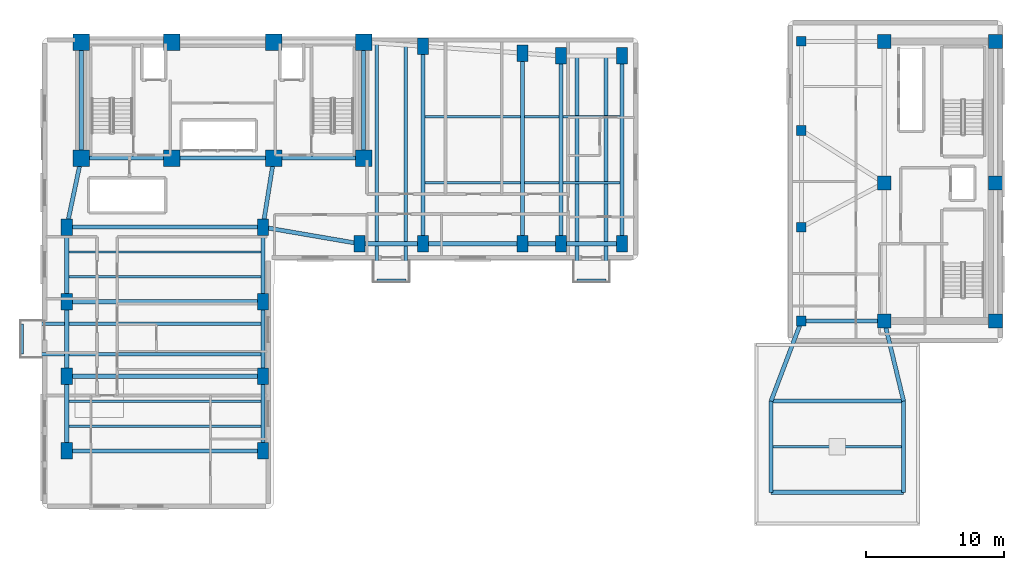
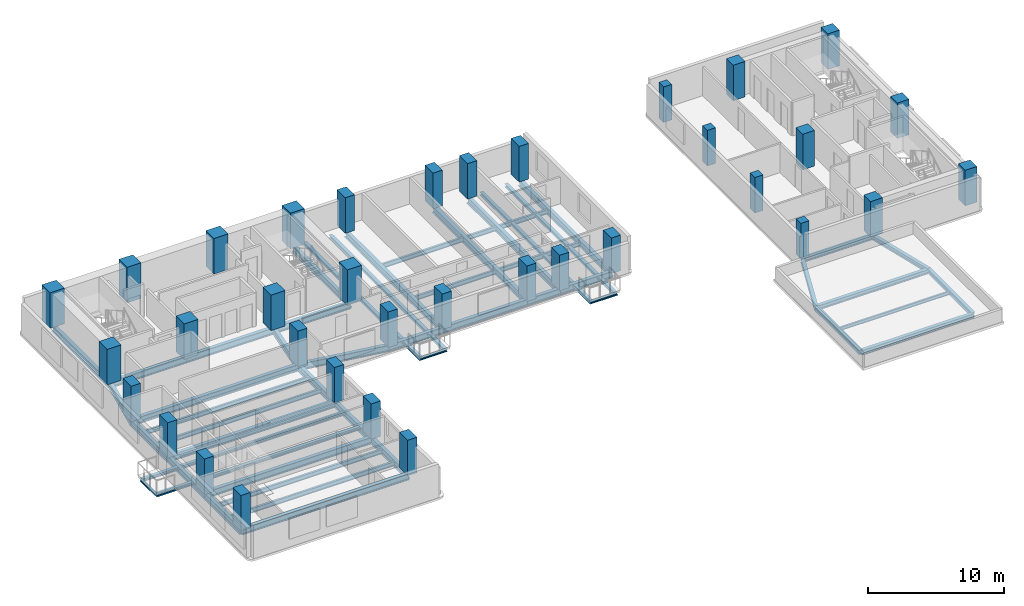
# One storey, part 1 of 11: 53 beams, 35 columns.
"""IFC4 building model written with IfcOpenShell, lengths in metres."""

from ifc_helpers import new_model, si_unit, direction, frame, origin, origin_2d, place, context, subcontext, project, spatial, rectangle, i_section, extrude, material, material_profile, profile_set, type_object, element, save


model = new_model("IFC4")

# Units and contexts
model_context = context("Model", 3, precision=1e-05, world=origin(), true_north=direction((0.0, 1.0)))
body_context = subcontext(model_context, "Body", "Model", "MODEL_VIEW")
ifc_project = project(units=[si_unit("LENGTHUNIT", "METRE"), si_unit("AREAUNIT", "SQUARE_METRE"), si_unit("VOLUMEUNIT", "CUBIC_METRE"), si_unit("PLANEANGLEUNIT", "RADIAN"), si_unit("MASSUNIT", "GRAM", prefix="KILO")], contexts=[model_context])

# Site, building, storey
site_placement = place(None, origin())
site = spatial("IfcSite", under=ifc_project, at=site_placement, CompositionType="ELEMENT")
building_placement = place(site_placement, origin())
building = spatial("IfcBuilding", under=site, at=building_placement, Name="Kuzgunbayir Cultural Tower", CompositionType="ELEMENT")
storey_placement = place(building_placement, frame((0.0, 0.0, 86.60009765625)))
storey = spatial("IfcBuildingStorey", under=building, at=storey_placement, Name="L24", CompositionType="ELEMENT", Elevation=86.60009765625)

# Columns
ifc_material_1 = material(Name="Concrete C60/75", Category="concrete")
ifc_material_profile_1 = material_profile(ifc_material_1, rectangle(XDim=1.199951171875, YDim=1.199951171875, at=origin_2d()), Name="RC 1200x1200")
ifc_profile_set_1 = profile_set([ifc_material_profile_1], Name="Concrete C60/75")
column_type_1 = type_object("IfcColumnType", Name="COL-CORE-1200", PredefinedType="COLUMN", material=ifc_profile_set_1)
for number, where, z_axis, x_axis, name in (
    (1, (6.449951171875, 33.800048828125, 0.0), (0.0, 0.0, 1.0), (1.0, 0.0, 0.0), "L24 T1 Core Boundary Column CC1-1"),
    (2, (13.0, 33.800048828125, 0.0), (0.0, 0.0, 1.0), (1.0, 0.0, 0.0), "L24 T1 Core Boundary Column CC1-2"),
    (3, (20.39990234375, 33.800048828125, 0.0), (0.0, 0.0, 1.0), (1.0, 0.0, 0.0), "L24 T1 Core Boundary Column CC1-3"),
    (4, (26.89990234375, 33.800048828125, 0.0), (0.0, 0.0, 1.0), (1.0, 0.0, 0.0), "L24 T1 Core Boundary Column CC1-4"),
    (5, (6.449951171875, 42.199951171875, 0.0), (0.0, 0.0, 1.0), (1.0, 0.0, 0.0), "L24 T1 Core Boundary Column CC1-5"),
    (6, (13.0, 42.199951171875, 0.0), (0.0, 0.0, 1.0), (1.0, 0.0, 0.0), "L24 T1 Core Boundary Column CC1-6"),
    (7, (20.39990234375, 42.199951171875, 0.0), (0.0, 0.0, 1.0), (1.0, 0.0, 0.0), "L24 T1 Core Boundary Column CC1-7"),
    (8, (26.89990234375, 42.199951171875, 0.0), (0.0, 0.0, 1.0), (1.0, 0.0, 0.0), "L24 T1 Core Boundary Column CC1-8"),
):
    element("IfcColumn", number, at=place(storey_placement, frame(where, z_axis=z_axis, x_axis=x_axis)), inside=storey, type_object=column_type_1, Name=name, PredefinedType="COLUMN", context=body_context, shape_type="SweptSolid", body=[
        extrude(rectangle(XDim=1.199951171875, YDim=1.199951171875, at=origin_2d()), origin(), (0.0, 0.0, 1.0), 3.199951171875),
    ])
ifc_material_profile_2 = material_profile(ifc_material_1, rectangle(XDim=0.800048828125, YDim=1.199951171875, at=origin_2d()), Name="RC 1200x800")
ifc_profile_set_2 = profile_set([ifc_material_profile_2], Name="Concrete C60/75")
column_type_2 = type_object("IfcColumnType", Name="COL-T1-1200x800", PredefinedType="COLUMN", material=ifc_profile_set_2)
for number, where, z_axis, x_axis, name in (
    (9, (5.39990234375, 12.60009765625, 0.0), (0.0, 0.0, 1.0), (1.0, 0.0, 0.0), "L24 Tower 1 Wing A Column T1A-W-1"),
    (10, (19.60009765625, 12.60009765625, 0.0), (0.0, 0.0, 1.0), (1.0, 0.0, 0.0), "L24 Tower 1 Wing A Column T1A-E-1"),
    (11, (5.39990234375, 18.0, 0.0), (0.0, 0.0, 1.0), (1.0, 0.0, 0.0), "L24 Tower 1 Wing A Column T1A-W-2"),
    (12, (19.60009765625, 18.0, 0.0), (0.0, 0.0, 1.0), (1.0, 0.0, 0.0), "L24 Tower 1 Wing A Column T1A-E-2"),
    (13, (5.39990234375, 23.39990234375, 0.0), (0.0, 0.0, 1.0), (1.0, 0.0, 0.0), "L24 Tower 1 Wing A Column T1A-W-3"),
    (14, (19.60009765625, 23.39990234375, 0.0), (0.0, 0.0, 1.0), (1.0, 0.0, 0.0), "L24 Tower 1 Wing A Column T1A-E-3"),
    (15, (5.39990234375, 28.800048828125, 0.0), (0.0, 0.0, 1.0), (1.0, 0.0, 0.0), "L24 Tower 1 Wing A Column T1A-W-4"),
    (16, (19.60009765625, 28.800048828125, 0.0), (0.0, 0.0, 1.0), (1.0, 0.0, 0.0), "L24 Tower 1 Wing A Column T1A-E-4"),
    (17, (26.60009765625, 27.60009765625, 0.0), (0.0, 0.0, 1.0), (1.0, 0.0, 0.0), "L24 Tower 1 Wing B Column T1B-1-1"),
    (18, (31.199951171875, 27.60009765625, 0.0), (0.0, 0.0, 1.0), (1.0, 0.0, 0.0), "L24 Tower 1 Wing B Column T1B-2-1"),
    (19, (31.199951171875, 41.89990234375, 0.0), (0.0, 0.0, 1.0), (1.0, 0.0, 0.0), "L24 Tower 1 Wing B Column T1B-2-2"),
    (20, (38.39990234375, 27.60009765625, 0.0), (0.0, 0.0, 1.0), (1.0, 0.0, 0.0), "L24 Tower 1 Wing B Column T1B-3-1"),
    (21, (38.39990234375, 41.39990234375, 0.0), (0.0, 0.0, 1.0), (1.0, 0.0, 0.0), "L24 Tower 1 Wing B Column T1B-3-2"),
    (22, (41.199951171875, 27.60009765625, 0.0), (0.0, 0.0, 1.0), (1.0, 0.0, 0.0), "L24 Tower 1 Wing B Column T1B-4-1"),
    (23, (41.199951171875, 41.199951171875, 0.0), (0.0, 0.0, 1.0), (1.0, 0.0, 0.0), "L24 Tower 1 Wing B Column T1B-4-2"),
    (24, (45.60009765625, 27.60009765625, 0.0), (0.0, 0.0, 1.0), (1.0, 0.0, 0.0), "L24 Tower 1 Wing B Column T1B-5-1"),
    (25, (45.60009765625, 41.199951171875, 0.0), (0.0, 0.0, 1.0), (1.0, 0.0, 0.0), "L24 Tower 1 Wing B Column T1B-5-2"),
):
    element("IfcColumn", number, at=place(storey_placement, frame(where, z_axis=z_axis, x_axis=x_axis)), inside=storey, type_object=column_type_2, Name=name, PredefinedType="COLUMN", context=body_context, shape_type="SweptSolid", body=[
        extrude(rectangle(XDim=0.800048828125, YDim=1.199951171875, at=origin_2d()), origin(), (0.0, 0.0, 1.0), 3.199951171875),
    ])
ifc_material_profile_3 = material_profile(ifc_material_1, rectangle(XDim=1.0, YDim=1.0, at=origin_2d()), Name="RC 1000x1000")
ifc_profile_set_3 = profile_set([ifc_material_profile_3], Name="Concrete C60/75")
column_type_3 = type_object("IfcColumnType", Name="COL-T2-1000", PredefinedType="COLUMN", material=ifc_profile_set_3)
for number, where, z_axis, x_axis, name in (
    (26, (64.60009765625, 22.0, 0.0), (0.0, 0.0, 1.0), (1.0, 0.0, 0.0), "L24 T2 Core Boundary Column CC2-1"),
    (27, (72.64990234375, 22.0, 0.0), (0.0, 0.0, 1.0), (1.0, 0.0, 0.0), "L24 T2 Core Boundary Column CC2-2"),
    (28, (64.60009765625, 32.0, 0.0), (0.0, 0.0, 1.0), (1.0, 0.0, 0.0), "L24 T2 Core Boundary Column CC2-3"),
    (29, (72.64990234375, 32.0, 0.0), (0.0, 0.0, 1.0), (1.0, 0.0, 0.0), "L24 T2 Core Boundary Column CC2-4"),
    (30, (64.60009765625, 42.25, 0.0), (0.0, 0.0, 1.0), (1.0, 0.0, 0.0), "L24 T2 Core Boundary Column CC2-5"),
    (31, (72.64990234375, 42.25, 0.0), (0.0, 0.0, 1.0), (1.0, 0.0, 0.0), "L24 T2 Core Boundary Column CC2-6"),
):
    element("IfcColumn", number, at=place(storey_placement, frame(where, z_axis=z_axis, x_axis=x_axis)), inside=storey, type_object=column_type_3, Name=name, PredefinedType="COLUMN", context=body_context, shape_type="SweptSolid", body=[
        extrude(rectangle(XDim=1.0, YDim=1.0, at=origin_2d()), origin(), (0.0, 0.0, 1.0), 3.199951171875),
    ])
ifc_material_profile_4 = material_profile(ifc_material_1, rectangle(XDim=0.699951171875, YDim=0.699951171875, at=origin_2d()), Name="RC 700x700")
ifc_profile_set_4 = profile_set([ifc_material_profile_4], Name="Concrete C60/75")
column_type_4 = type_object("IfcColumnType", Name="COL-T2-700", PredefinedType="COLUMN", material=ifc_profile_set_4)
for number, where, z_axis, x_axis, name in (
    (32, (58.60009765625, 22.0, 0.0), (0.0, 0.0, 1.0), (1.0, 0.0, 0.0), "L24 Companion Wing A Column T2A-W-1"),
    (33, (58.60009765625, 28.800048828125, 0.0), (0.0, 0.0, 1.0), (1.0, 0.0, 0.0), "L24 Companion Wing A Column T2A-W-2"),
    (34, (58.60009765625, 35.800048828125, 0.0), (0.0, 0.0, 1.0), (1.0, 0.0, 0.0), "L24 Companion Wing A Column T2A-W-3"),
    (35, (58.60009765625, 42.25, 0.0), (0.0, 0.0, 1.0), (1.0, 0.0, 0.0), "L24 Companion Wing A Column T2A-W-4"),
):
    element("IfcColumn", number, at=place(storey_placement, frame(where, z_axis=z_axis, x_axis=x_axis)), inside=storey, type_object=column_type_4, Name=name, PredefinedType="COLUMN", context=body_context, shape_type="SweptSolid", body=[
        extrude(rectangle(XDim=0.699951171875, YDim=0.699951171875, at=origin_2d()), origin(), (0.0, 0.0, 1.0), 3.199951171875),
    ])

# Beams
ifc_material_2 = material(Name="Steel S355J2", Category="steel")
ifc_material_profile_5 = material_profile(ifc_material_2, i_section(OverallWidth=0.280029296875, OverallDepth=0.280029296875, WebThickness=0.010498046875, FlangeThickness=0.01806640625, FilletRadius=0.02392578125, at=origin_2d()), Name="HEB 280")
ifc_profile_set_5 = profile_set([ifc_material_profile_5], Name="Steel S355J2")
beam_type_1 = type_object("IfcBeamType", Name="BM-BAL-HEB280", PredefinedType="BEAM", material=ifc_profile_set_5)
for number, where, z_axis, x_axis, name in (
    (36, (2.159912109375, 19.60009765625, -0.340087890625), (1.0, 0.0, 0.0), (0.0, 1.0, 0.0), "L24 Balcony Outrigger Beam BAL-L24-WA2.1"),
    (37, (2.159912109375, 21.800048828125, -0.340087890625), (1.0, 0.0, 0.0), (0.0, 1.0, 0.0), "L24 Balcony Outrigger Beam BAL-L24-WA2.2"),
):
    element("IfcBeam", number, at=place(storey_placement, frame(where, z_axis=z_axis, x_axis=x_axis)), inside=storey, type_object=beam_type_1, Name=name, PredefinedType="BEAM", context=body_context, shape_type="SweptSolid", body=[
        extrude(i_section(OverallWidth=0.280029296875, OverallDepth=0.280029296875, WebThickness=0.010498046875, FlangeThickness=0.01806640625, FilletRadius=0.02392578125, at=origin_2d()), origin(), (0.0, 0.0, 1.0), 17.440185546875),
    ])
beam_1_placement = place(storey_placement, frame((27.85009765625, 24.9599609375, -0.340087890625), z_axis=(0.0, 1.0, 0.0), x_axis=(-1.0, 0.0, 0.0)))
element("IfcBeam", 38, at=beam_1_placement, inside=storey, type_object=beam_type_1, Name="L24 Balcony Outrigger Beam BAL-L24-WB1.1", PredefinedType="BEAM", context=body_context, shape_type="SweptSolid", body=[
    extrude(i_section(OverallWidth=0.280029296875, OverallDepth=0.280029296875, WebThickness=0.010498046875, FlangeThickness=0.01806640625, FilletRadius=0.02392578125, at=origin_2d()), origin(), (0.0, 0.0, 1.0), 17.169921875),
])
beam_2_placement = place(storey_placement, frame((29.949951171875, 24.9599609375, -0.340087890625), z_axis=(0.0, 1.0, 0.0), x_axis=(-1.0, 0.0, 0.0)))
element("IfcBeam", 39, at=beam_2_placement, inside=storey, type_object=beam_type_1, Name="L24 Balcony Outrigger Beam BAL-L24-WB1.2", PredefinedType="BEAM", context=body_context, shape_type="SweptSolid", body=[
    extrude(i_section(OverallWidth=0.280029296875, OverallDepth=0.280029296875, WebThickness=0.010498046875, FlangeThickness=0.01806640625, FilletRadius=0.02392578125, at=origin_2d()), origin(), (0.0, 0.0, 1.0), 17.030029296875),
])
for number, where, z_axis, x_axis, name in (
    (40, (42.35009765625, 24.9599609375, -0.340087890625), (0.0, 1.0, 0.0), (-1.0, 0.0, 0.0), "L24 Balcony Outrigger Beam BAL-L24-WB3.1"),
    (41, (44.449951171875, 24.9599609375, -0.340087890625), (0.0, 1.0, 0.0), (-1.0, 0.0, 0.0), "L24 Balcony Outrigger Beam BAL-L24-WB3.2"),
):
    element("IfcBeam", number, at=place(storey_placement, frame(where, z_axis=z_axis, x_axis=x_axis)), inside=storey, type_object=beam_type_1, Name=name, PredefinedType="BEAM", context=body_context, shape_type="SweptSolid", body=[
        extrude(i_section(OverallWidth=0.280029296875, OverallDepth=0.280029296875, WebThickness=0.010498046875, FlangeThickness=0.01806640625, FilletRadius=0.02392578125, at=origin_2d()), origin(), (0.0, 0.0, 1.0), 16.239990234375),
    ])
ifc_material_profile_6 = material_profile(ifc_material_2, i_section(OverallWidth=0.199951171875, OverallDepth=0.199951171875, WebThickness=0.009033203125, FlangeThickness=0.014892578125, FilletRadius=0.01806640625, at=origin_2d()), Name="HEB 200")
ifc_profile_set_6 = profile_set([ifc_material_profile_6], Name="Steel S355J2")
beam_type_2 = type_object("IfcBeamType", Name="BM-CAN-HEB200", PredefinedType="BEAM", material=ifc_profile_set_6)
beam_3_placement = place(storey_placement, frame((2.159912109375, 19.60009765625, -0.300048828125), z_axis=(0.0, 1.0, 0.0), x_axis=(-1.0, 0.0, 0.0)))
element("IfcBeam", 42, at=beam_3_placement, inside=storey, type_object=beam_type_2, Name="L24 Balcony Edge Header BAL-L24-WA2", PredefinedType="BEAM", context=body_context, shape_type="SweptSolid", body=[
    extrude(i_section(OverallWidth=0.199951171875, OverallDepth=0.199951171875, WebThickness=0.009033203125, FlangeThickness=0.014892578125, FilletRadius=0.01806640625, at=origin_2d()), origin(), (0.0, 0.0, 1.0), 2.199951171875),
])
for number, where, z_axis, x_axis, name in (
    (43, (27.85009765625, 24.9599609375, -0.300048828125), (1.0, 0.0, 0.0), (0.0, 1.0, 0.0), "L24 Balcony Edge Header BAL-L24-WB1"),
    (44, (42.35009765625, 24.9599609375, -0.300048828125), (1.0, 0.0, 0.0), (0.0, 1.0, 0.0), "L24 Balcony Edge Header BAL-L24-WB3"),
):
    element("IfcBeam", number, at=place(storey_placement, frame(where, z_axis=z_axis, x_axis=x_axis)), inside=storey, type_object=beam_type_2, Name=name, PredefinedType="BEAM", context=body_context, shape_type="SweptSolid", body=[
        extrude(i_section(OverallWidth=0.199951171875, OverallDepth=0.199951171875, WebThickness=0.009033203125, FlangeThickness=0.014892578125, FilletRadius=0.01806640625, at=origin_2d()), origin(), (0.0, 0.0, 1.0), 2.099853515625),
    ])
ifc_material_profile_7 = material_profile(ifc_material_2, i_section(OverallWidth=0.300048828125, OverallDepth=0.39990234375, WebThickness=0.013427734375, FlangeThickness=0.02392578125, FilletRadius=0.027099609375, at=origin_2d()), Name="HEB 400")
ifc_profile_set_7 = profile_set([ifc_material_profile_7], Name="Steel S355J2")
beam_type_3 = type_object("IfcBeamType", Name="BM-EXT-HEB400", PredefinedType="BEAM", material=ifc_profile_set_7)
beam_4_placement = place(storey_placement, frame((56.39990234375, 9.60009765625, -0.420166015625), z_axis=(0.0, 1.0, 0.0), x_axis=(-1.0, 0.0, 0.0)))
element("IfcBeam", 45, at=beam_4_placement, inside=storey, type_object=beam_type_3, Name="L24 Companion Wing B West Girder", PredefinedType="BEAM", context=body_context, shape_type="SweptSolid", body=[
    extrude(i_section(OverallWidth=0.300048828125, OverallDepth=0.39990234375, WebThickness=0.013427734375, FlangeThickness=0.02392578125, FilletRadius=0.027099609375, at=origin_2d()), origin(), (0.0, 0.0, 1.0), 6.599853515625),
])
beam_5_placement = place(storey_placement, frame((56.39990234375, 16.199951171875, -0.420166015625), z_axis=(0.354679148754, 0.93498807556, 0.0), x_axis=(-0.93498807556, 0.354679148754, 0.0)))
element("IfcBeam", 46, at=beam_5_placement, inside=storey, type_object=beam_type_3, Name="L24 Companion Wing B Floor Girder W", PredefinedType="BEAM", context=body_context, shape_type="SweptSolid", body=[
    extrude(i_section(OverallWidth=0.300048828125, OverallDepth=0.39990234375, WebThickness=0.013427734375, FlangeThickness=0.02392578125, FilletRadius=0.027099609375, at=origin_2d()), origin(), (0.0, 0.0, 1.0), 6.203369140625),
])
beam_6_placement = place(storey_placement, frame((66.0, 9.60009765625, -0.420166015625), z_axis=(0.0, 1.0, 0.0), x_axis=(-1.0, 0.0, 0.0)))
element("IfcBeam", 47, at=beam_6_placement, inside=storey, type_object=beam_type_3, Name="L24 Companion Wing B East Girder", PredefinedType="BEAM", context=body_context, shape_type="SweptSolid", body=[
    extrude(i_section(OverallWidth=0.300048828125, OverallDepth=0.39990234375, WebThickness=0.013427734375, FlangeThickness=0.02392578125, FilletRadius=0.027099609375, at=origin_2d()), origin(), (0.0, 0.0, 1.0), 6.599853515625),
])
beam_7_placement = place(storey_placement, frame((66.0, 16.199951171875, -0.420166015625), z_axis=(-0.234623200431, 0.972086392158, 0.0), x_axis=(-0.972086392158, -0.234623200431, 0.0)))
element("IfcBeam", 48, at=beam_7_placement, inside=storey, type_object=beam_type_3, Name="L24 Companion Wing B Floor Girder E", PredefinedType="BEAM", context=body_context, shape_type="SweptSolid", body=[
    extrude(i_section(OverallWidth=0.300048828125, OverallDepth=0.39990234375, WebThickness=0.013427734375, FlangeThickness=0.02392578125, FilletRadius=0.027099609375, at=origin_2d()), origin(), (0.0, 0.0, 1.0), 5.966552734375),
])
beam_8_placement = place(storey_placement, frame((56.39990234375, 9.60009765625, -0.420166015625), z_axis=(1.0, 0.0, 0.0), x_axis=(0.0, 1.0, 0.0)))
element("IfcBeam", 49, at=beam_8_placement, inside=storey, type_object=beam_type_3, Name="L24 Companion Wing B South Girder", PredefinedType="BEAM", context=body_context, shape_type="SweptSolid", body=[
    extrude(i_section(OverallWidth=0.300048828125, OverallDepth=0.39990234375, WebThickness=0.013427734375, FlangeThickness=0.02392578125, FilletRadius=0.027099609375, at=origin_2d()), origin(), (0.0, 0.0, 1.0), 9.60009765625),
])
ifc_material_profile_8 = material_profile(ifc_material_2, i_section(OverallWidth=0.300048828125, OverallDepth=0.60009765625, WebThickness=0.015380859375, FlangeThickness=0.030029296875, FilletRadius=0.027099609375, at=origin_2d()), Name="HEB 600")
ifc_profile_set_8 = profile_set([ifc_material_profile_8], Name="Steel S355J2")
beam_type_4 = type_object("IfcBeamType", Name="BM-EXT-HEB600", PredefinedType="BEAM", material=ifc_profile_set_8)
for number, where, z_axis, x_axis, name in (
    (50, (5.39990234375, 12.60009765625, -0.47998046875), (0.0, 1.0, 0.0), (-1.0, 0.0, 0.0), "L24 Wing A West Girder 1"),
    (51, (19.60009765625, 12.60009765625, -0.47998046875), (0.0, 1.0, 0.0), (-1.0, 0.0, 0.0), "L24 Wing A East Girder 1"),
    (52, (5.39990234375, 18.0, -0.47998046875), (0.0, 1.0, 0.0), (-1.0, 0.0, 0.0), "L24 Wing A West Girder 2"),
    (53, (19.60009765625, 18.0, -0.47998046875), (0.0, 1.0, 0.0), (-1.0, 0.0, 0.0), "L24 Wing A East Girder 2"),
):
    element("IfcBeam", number, at=place(storey_placement, frame(where, z_axis=z_axis, x_axis=x_axis)), inside=storey, type_object=beam_type_4, Name=name, PredefinedType="BEAM", context=body_context, shape_type="SweptSolid", body=[
        extrude(i_section(OverallWidth=0.300048828125, OverallDepth=0.60009765625, WebThickness=0.015380859375, FlangeThickness=0.030029296875, FilletRadius=0.027099609375, at=origin_2d()), origin(), (0.0, 0.0, 1.0), 5.39990234375),
    ])
for number, where, z_axis, x_axis, name in (
    (54, (5.39990234375, 23.39990234375, -0.47998046875), (0.0, 1.0, 0.0), (-1.0, 0.0, 0.0), "L24 Wing A West Girder 3"),
    (55, (19.60009765625, 23.39990234375, -0.47998046875), (0.0, 1.0, 0.0), (-1.0, 0.0, 0.0), "L24 Wing A East Girder 3"),
):
    element("IfcBeam", number, at=place(storey_placement, frame(where, z_axis=z_axis, x_axis=x_axis)), inside=storey, type_object=beam_type_4, Name=name, PredefinedType="BEAM", context=body_context, shape_type="SweptSolid", body=[
        extrude(i_section(OverallWidth=0.300048828125, OverallDepth=0.60009765625, WebThickness=0.015380859375, FlangeThickness=0.030029296875, FilletRadius=0.027099609375, at=origin_2d()), origin(), (0.0, 0.0, 1.0), 5.400146484375),
    ])
beam_9_placement = place(storey_placement, frame((26.60009765625, 27.60009765625, -0.47998046875), z_axis=(1.0, 0.0, 0.0), x_axis=(0.0, 1.0, 0.0)))
element("IfcBeam", 56, at=beam_9_placement, inside=storey, type_object=beam_type_4, Name="L24 Wing B South Girder 1", PredefinedType="BEAM", context=body_context, shape_type="SweptSolid", body=[
    extrude(i_section(OverallWidth=0.300048828125, OverallDepth=0.60009765625, WebThickness=0.015380859375, FlangeThickness=0.030029296875, FilletRadius=0.027099609375, at=origin_2d()), origin(), (0.0, 0.0, 1.0), 4.599853515625),
])
beam_10_placement = place(storey_placement, frame((31.199951171875, 27.60009765625, -0.47998046875), z_axis=(1.0, 0.0, 0.0), x_axis=(0.0, 1.0, 0.0)))
element("IfcBeam", 57, at=beam_10_placement, inside=storey, type_object=beam_type_4, Name="L24 Wing B South Girder 2", PredefinedType="BEAM", context=body_context, shape_type="SweptSolid", body=[
    extrude(i_section(OverallWidth=0.300048828125, OverallDepth=0.60009765625, WebThickness=0.015380859375, FlangeThickness=0.030029296875, FilletRadius=0.027099609375, at=origin_2d()), origin(), (0.0, 0.0, 1.0), 7.199951171875),
])
beam_11_placement = place(storey_placement, frame((38.39990234375, 27.60009765625, -0.47998046875), z_axis=(1.0, 0.0, 0.0), x_axis=(0.0, 1.0, 0.0)))
element("IfcBeam", 58, at=beam_11_placement, inside=storey, type_object=beam_type_4, Name="L24 Wing B South Girder 3", PredefinedType="BEAM", context=body_context, shape_type="SweptSolid", body=[
    extrude(i_section(OverallWidth=0.300048828125, OverallDepth=0.60009765625, WebThickness=0.015380859375, FlangeThickness=0.030029296875, FilletRadius=0.027099609375, at=origin_2d()), origin(), (0.0, 0.0, 1.0), 2.800048828125),
])
beam_12_placement = place(storey_placement, frame((41.199951171875, 27.60009765625, -0.47998046875), z_axis=(1.0, 0.0, 0.0), x_axis=(0.0, 1.0, 0.0)))
element("IfcBeam", 59, at=beam_12_placement, inside=storey, type_object=beam_type_4, Name="L24 Wing B South Girder 4", PredefinedType="BEAM", context=body_context, shape_type="SweptSolid", body=[
    extrude(i_section(OverallWidth=0.300048828125, OverallDepth=0.60009765625, WebThickness=0.015380859375, FlangeThickness=0.030029296875, FilletRadius=0.027099609375, at=origin_2d()), origin(), (0.0, 0.0, 1.0), 4.400146484375),
])
ifc_material_profile_9 = material_profile(ifc_material_2, i_section(OverallWidth=0.300048828125, OverallDepth=0.39990234375, WebThickness=0.013427734375, FlangeThickness=0.02392578125, FilletRadius=0.027099609375, at=origin_2d()), Name="HEB 400")
ifc_profile_set_9 = profile_set([ifc_material_profile_9], Name="Steel S355J2")
beam_type_5 = type_object("IfcBeamType", Name="BM-GIR-HEB400", PredefinedType="BEAM", material=ifc_profile_set_9)
beam_13_placement = place(storey_placement, frame((58.60009765625, 22.0, -0.380126953125), z_axis=(1.0, 0.0, 0.0), x_axis=(0.0, 1.0, 0.0)))
element("IfcBeam", 60, at=beam_13_placement, inside=storey, type_object=beam_type_5, Name="L24 Companion Transverse Girder 1", PredefinedType="BEAM", context=body_context, shape_type="SweptSolid", body=[
    extrude(i_section(OverallWidth=0.300048828125, OverallDepth=0.39990234375, WebThickness=0.013427734375, FlangeThickness=0.02392578125, FilletRadius=0.027099609375, at=origin_2d()), origin(), (0.0, 0.0, 1.0), 6.0),
])
beam_14_placement = place(storey_placement, frame((56.39990234375, 16.199951171875, -0.420166015625), z_axis=(1.0, 0.0, 0.0), x_axis=(0.0, 1.0, 0.0)))
element("IfcBeam", 61, at=beam_14_placement, inside=storey, type_object=beam_type_5, Name="L24 Companion Wing B Mid Girder", PredefinedType="BEAM", context=body_context, shape_type="SweptSolid", body=[
    extrude(i_section(OverallWidth=0.300048828125, OverallDepth=0.39990234375, WebThickness=0.013427734375, FlangeThickness=0.02392578125, FilletRadius=0.027099609375, at=origin_2d()), origin(), (0.0, 0.0, 1.0), 9.60009765625),
])
ifc_material_profile_10 = material_profile(ifc_material_2, i_section(OverallWidth=0.300048828125, OverallDepth=0.60009765625, WebThickness=0.015380859375, FlangeThickness=0.030029296875, FilletRadius=0.027099609375, at=origin_2d()), Name="HEB 600")
ifc_profile_set_10 = profile_set([ifc_material_profile_10], Name="Steel S355J2")
beam_type_6 = type_object("IfcBeamType", Name="BM-GIR-HEB600", PredefinedType="BEAM", material=ifc_profile_set_10)
beam_15_placement = place(storey_placement, frame((6.449951171875, 33.800048828125, -0.47998046875), z_axis=(1.0, 0.0, 0.0), x_axis=(0.0, 1.0, 0.0)))
element("IfcBeam", 62, at=beam_15_placement, inside=storey, type_object=beam_type_6, Name="L24 Core South Girder 1", PredefinedType="BEAM", context=body_context, shape_type="SweptSolid", body=[
    extrude(i_section(OverallWidth=0.300048828125, OverallDepth=0.60009765625, WebThickness=0.015380859375, FlangeThickness=0.030029296875, FilletRadius=0.027099609375, at=origin_2d()), origin(), (0.0, 0.0, 1.0), 6.550048828125),
])
beam_16_placement = place(storey_placement, frame((13.0, 33.800048828125, -0.47998046875), z_axis=(1.0, 0.0, 0.0), x_axis=(0.0, 1.0, 0.0)))
element("IfcBeam", 63, at=beam_16_placement, inside=storey, type_object=beam_type_6, Name="L24 Core South Girder 2", PredefinedType="BEAM", context=body_context, shape_type="SweptSolid", body=[
    extrude(i_section(OverallWidth=0.300048828125, OverallDepth=0.60009765625, WebThickness=0.015380859375, FlangeThickness=0.030029296875, FilletRadius=0.027099609375, at=origin_2d()), origin(), (0.0, 0.0, 1.0), 7.39990234375),
])
beam_17_placement = place(storey_placement, frame((20.39990234375, 33.800048828125, -0.47998046875), z_axis=(1.0, 0.0, 0.0), x_axis=(0.0, 1.0, 0.0)))
element("IfcBeam", 64, at=beam_17_placement, inside=storey, type_object=beam_type_6, Name="L24 Core South Girder 3", PredefinedType="BEAM", context=body_context, shape_type="SweptSolid", body=[
    extrude(i_section(OverallWidth=0.300048828125, OverallDepth=0.60009765625, WebThickness=0.015380859375, FlangeThickness=0.030029296875, FilletRadius=0.027099609375, at=origin_2d()), origin(), (0.0, 0.0, 1.0), 6.5),
])
for number, where, z_axis, x_axis, name in (
    (65, (6.449951171875, 33.800048828125, -0.47998046875), (0.0, 1.0, 0.0), (-1.0, 0.0, 0.0), "L24 Core West Edge Girder"),
    (66, (26.89990234375, 33.800048828125, -0.47998046875), (0.0, 1.0, 0.0), (-1.0, 0.0, 0.0), "L24 Core East Edge Girder"),
):
    element("IfcBeam", number, at=place(storey_placement, frame(where, z_axis=z_axis, x_axis=x_axis)), inside=storey, type_object=beam_type_6, Name=name, PredefinedType="BEAM", context=body_context, shape_type="SweptSolid", body=[
        extrude(i_section(OverallWidth=0.300048828125, OverallDepth=0.60009765625, WebThickness=0.015380859375, FlangeThickness=0.030029296875, FilletRadius=0.027099609375, at=origin_2d()), origin(), (0.0, 0.0, 1.0), 8.39990234375),
    ])
for number, where, z_axis, x_axis, name in (
    (67, (5.39990234375, 12.60009765625, -0.47998046875), (1.0, 0.0, 0.0), (0.0, 1.0, 0.0), "L24 Wing A Transverse Girder 1"),
    (68, (5.39990234375, 18.0, -0.47998046875), (1.0, 0.0, 0.0), (0.0, 1.0, 0.0), "L24 Wing A Transverse Girder 2"),
    (69, (5.39990234375, 23.39990234375, -0.47998046875), (1.0, 0.0, 0.0), (0.0, 1.0, 0.0), "L24 Wing A Transverse Girder 3"),
    (70, (5.39990234375, 28.800048828125, -0.47998046875), (1.0, 0.0, 0.0), (0.0, 1.0, 0.0), "L24 Wing A Transverse Girder 4"),
):
    element("IfcBeam", number, at=place(storey_placement, frame(where, z_axis=z_axis, x_axis=x_axis)), inside=storey, type_object=beam_type_6, Name=name, PredefinedType="BEAM", context=body_context, shape_type="SweptSolid", body=[
        extrude(i_section(OverallWidth=0.300048828125, OverallDepth=0.60009765625, WebThickness=0.015380859375, FlangeThickness=0.030029296875, FilletRadius=0.027099609375, at=origin_2d()), origin(), (0.0, 0.0, 1.0), 14.2001953125),
    ])
beam_18_placement = place(storey_placement, frame((5.39990234375, 28.800048828125, -0.47998046875), z_axis=(0.205526387753, 0.978651574329, 0.0), x_axis=(-0.978651574329, 0.205526387753, 0.0)))
element("IfcBeam", 71, at=beam_18_placement, inside=storey, type_object=beam_type_6, Name="L24 Wing A West Core Floor Girder", PredefinedType="BEAM", context=body_context, shape_type="SweptSolid", body=[
    extrude(i_section(OverallWidth=0.300048828125, OverallDepth=0.60009765625, WebThickness=0.015380859375, FlangeThickness=0.030029296875, FilletRadius=0.027099609375, at=origin_2d()), origin(), (0.0, 0.0, 1.0), 5.109130859375),
])
beam_19_placement = place(storey_placement, frame((19.60009765625, 28.800048828125, -0.47998046875), z_axis=(0.157952891656, 0.987446648694, 0.0), x_axis=(-0.987446648694, 0.157952891656, 0.0)))
element("IfcBeam", 72, at=beam_19_placement, inside=storey, type_object=beam_type_6, Name="L24 Wing A East Core Floor Girder", PredefinedType="BEAM", context=body_context, shape_type="SweptSolid", body=[
    extrude(i_section(OverallWidth=0.300048828125, OverallDepth=0.60009765625, WebThickness=0.015380859375, FlangeThickness=0.030029296875, FilletRadius=0.027099609375, at=origin_2d()), origin(), (0.0, 0.0, 1.0), 5.0634765625),
])
beam_20_placement = place(storey_placement, frame((31.199951171875, 27.60009765625, -0.47998046875), z_axis=(0.0, 1.0, 0.0), x_axis=(-1.0, 0.0, 0.0)))
element("IfcBeam", 73, at=beam_20_placement, inside=storey, type_object=beam_type_6, Name="L24 Wing B Cross Girder 31", PredefinedType="BEAM", context=body_context, shape_type="SweptSolid", body=[
    extrude(i_section(OverallWidth=0.300048828125, OverallDepth=0.60009765625, WebThickness=0.015380859375, FlangeThickness=0.030029296875, FilletRadius=0.027099609375, at=origin_2d()), origin(), (0.0, 0.0, 1.0), 14.2998046875),
])
beam_21_placement = place(storey_placement, frame((38.39990234375, 27.60009765625, -0.47998046875), z_axis=(0.0, 1.0, 0.0), x_axis=(-1.0, 0.0, 0.0)))
element("IfcBeam", 74, at=beam_21_placement, inside=storey, type_object=beam_type_6, Name="L24 Wing B Cross Girder 38", PredefinedType="BEAM", context=body_context, shape_type="SweptSolid", body=[
    extrude(i_section(OverallWidth=0.300048828125, OverallDepth=0.60009765625, WebThickness=0.015380859375, FlangeThickness=0.030029296875, FilletRadius=0.027099609375, at=origin_2d()), origin(), (0.0, 0.0, 1.0), 13.7998046875),
])
for number, where, z_axis, x_axis, name in (
    (75, (41.199951171875, 27.60009765625, -0.47998046875), (0.0, 1.0, 0.0), (-1.0, 0.0, 0.0), "L24 Wing B Cross Girder 41"),
    (76, (45.60009765625, 27.60009765625, -0.47998046875), (0.0, 1.0, 0.0), (-1.0, 0.0, 0.0), "L24 Wing B Cross Girder 45"),
):
    element("IfcBeam", number, at=place(storey_placement, frame(where, z_axis=z_axis, x_axis=x_axis)), inside=storey, type_object=beam_type_6, Name=name, PredefinedType="BEAM", context=body_context, shape_type="SweptSolid", body=[
        extrude(i_section(OverallWidth=0.300048828125, OverallDepth=0.60009765625, WebThickness=0.015380859375, FlangeThickness=0.030029296875, FilletRadius=0.027099609375, at=origin_2d()), origin(), (0.0, 0.0, 1.0), 13.599853515625),
    ])
beam_22_placement = place(storey_placement, frame((19.60009765625, 28.800048828125, -0.47998046875), z_axis=(0.985623399742, -0.168957136221, 0.0), x_axis=(0.168957136221, 0.985623399742, 0.0)))
element("IfcBeam", 77, at=beam_22_placement, inside=storey, type_object=beam_type_6, Name="L24 Wing B Waist Tie Girder", PredefinedType="BEAM", context=body_context, shape_type="SweptSolid", body=[
    extrude(i_section(OverallWidth=0.300048828125, OverallDepth=0.60009765625, WebThickness=0.015380859375, FlangeThickness=0.030029296875, FilletRadius=0.027099609375, at=origin_2d()), origin(), (0.0, 0.0, 1.0), 7.10205078125),
])
ifc_material_profile_11 = material_profile(ifc_material_2, i_section(OverallWidth=0.14990234375, OverallDepth=0.300048828125, WebThickness=0.007080078125, FlangeThickness=0.0107421875, FilletRadius=0.014892578125, at=origin_2d()), Name="IPE 300")
ifc_profile_set_11 = profile_set([ifc_material_profile_11], Name="Steel S355J2")
beam_type_7 = type_object("IfcBeamType", Name="BM-JST-IPE300", PredefinedType="JOIST", material=ifc_profile_set_11)
beam_23_placement = place(storey_placement, frame((56.550048828125, 12.89990234375, -0.3701171875), z_axis=(1.0, 0.0, 0.0), x_axis=(0.0, 1.0, 0.0)))
element("IfcBeam", 78, at=beam_23_placement, inside=storey, type_object=beam_type_7, Name="L24 Companion Wing B Joist", PredefinedType="JOIST", context=body_context, shape_type="SweptSolid", body=[
    extrude(i_section(OverallWidth=0.14990234375, OverallDepth=0.300048828125, WebThickness=0.007080078125, FlangeThickness=0.0107421875, FilletRadius=0.014892578125, at=origin_2d()), origin(), (0.0, 0.0, 1.0), 9.300048828125),
])
ifc_material_profile_12 = material_profile(ifc_material_2, i_section(OverallWidth=0.179931640625, OverallDepth=0.39990234375, WebThickness=0.008544921875, FlangeThickness=0.013427734375, FilletRadius=0.02099609375, at=origin_2d()), Name="IPE 400")
ifc_profile_set_12 = profile_set([ifc_material_profile_12], Name="Steel S355J2")
beam_type_8 = type_object("IfcBeamType", Name="BM-JST-IPE400", PredefinedType="JOIST", material=ifc_profile_set_12)
for number, where, z_axis, x_axis, name in (
    (79, (5.550048828125, 14.39990234375, -0.380126953125), (1.0, 0.0, 0.0), (0.0, 1.0, 0.0), "L24 Wing A Secondary Joist 1"),
    (80, (5.550048828125, 16.199951171875, -0.380126953125), (1.0, 0.0, 0.0), (0.0, 1.0, 0.0), "L24 Wing A Secondary Joist 2"),
    (81, (5.550048828125, 25.199951171875, -0.380126953125), (1.0, 0.0, 0.0), (0.0, 1.0, 0.0), "L24 Wing A Secondary Joist 5"),
    (82, (5.550048828125, 27.0, -0.380126953125), (1.0, 0.0, 0.0), (0.0, 1.0, 0.0), "L24 Wing A Secondary Joist 6"),
):
    element("IfcBeam", number, at=place(storey_placement, frame(where, z_axis=z_axis, x_axis=x_axis)), inside=storey, type_object=beam_type_8, Name=name, PredefinedType="JOIST", context=body_context, shape_type="SweptSolid", body=[
        extrude(i_section(OverallWidth=0.179931640625, OverallDepth=0.39990234375, WebThickness=0.008544921875, FlangeThickness=0.013427734375, FilletRadius=0.02099609375, at=origin_2d()), origin(), (0.0, 0.0, 1.0), 13.89990234375),
    ])
for number, where, z_axis, x_axis, name in (
    (83, (31.35009765625, 32.0, -0.380126953125), (1.0, 0.0, 0.0), (0.0, 1.0, 0.0), "L24 Wing B Secondary Joist 1.1"),
    (84, (31.35009765625, 36.800048828125, -0.380126953125), (1.0, 0.0, 0.0), (0.0, 1.0, 0.0), "L24 Wing B Secondary Joist 1.2"),
):
    element("IfcBeam", number, at=place(storey_placement, frame(where, z_axis=z_axis, x_axis=x_axis)), inside=storey, type_object=beam_type_8, Name=name, PredefinedType="JOIST", context=body_context, shape_type="SweptSolid", body=[
        extrude(i_section(OverallWidth=0.179931640625, OverallDepth=0.39990234375, WebThickness=0.008544921875, FlangeThickness=0.013427734375, FilletRadius=0.02099609375, at=origin_2d()), origin(), (0.0, 0.0, 1.0), 6.89990234375),
    ])
for number, where, z_axis, x_axis, name in (
    (85, (38.550048828125, 32.0, -0.380126953125), (1.0, 0.0, 0.0), (0.0, 1.0, 0.0), "L24 Wing B Secondary Joist 2.1"),
    (86, (38.550048828125, 36.800048828125, -0.380126953125), (1.0, 0.0, 0.0), (0.0, 1.0, 0.0), "L24 Wing B Secondary Joist 2.2"),
):
    element("IfcBeam", number, at=place(storey_placement, frame(where, z_axis=z_axis, x_axis=x_axis)), inside=storey, type_object=beam_type_8, Name=name, PredefinedType="JOIST", context=body_context, shape_type="SweptSolid", body=[
        extrude(i_section(OverallWidth=0.179931640625, OverallDepth=0.39990234375, WebThickness=0.008544921875, FlangeThickness=0.013427734375, FilletRadius=0.02099609375, at=origin_2d()), origin(), (0.0, 0.0, 1.0), 2.5),
    ])
for number, where, z_axis, x_axis, name in (
    (87, (41.35009765625, 32.0, -0.380126953125), (1.0, 0.0, 0.0), (0.0, 1.0, 0.0), "L24 Wing B Secondary Joist 3.1"),
    (88, (41.35009765625, 36.800048828125, -0.380126953125), (1.0, 0.0, 0.0), (0.0, 1.0, 0.0), "L24 Wing B Secondary Joist 3.2"),
):
    element("IfcBeam", number, at=place(storey_placement, frame(where, z_axis=z_axis, x_axis=x_axis)), inside=storey, type_object=beam_type_8, Name=name, PredefinedType="JOIST", context=body_context, shape_type="SweptSolid", body=[
        extrude(i_section(OverallWidth=0.179931640625, OverallDepth=0.39990234375, WebThickness=0.008544921875, FlangeThickness=0.013427734375, FilletRadius=0.02099609375, at=origin_2d()), origin(), (0.0, 0.0, 1.0), 4.099853515625),
    ])

save(model, "model.ifc")
